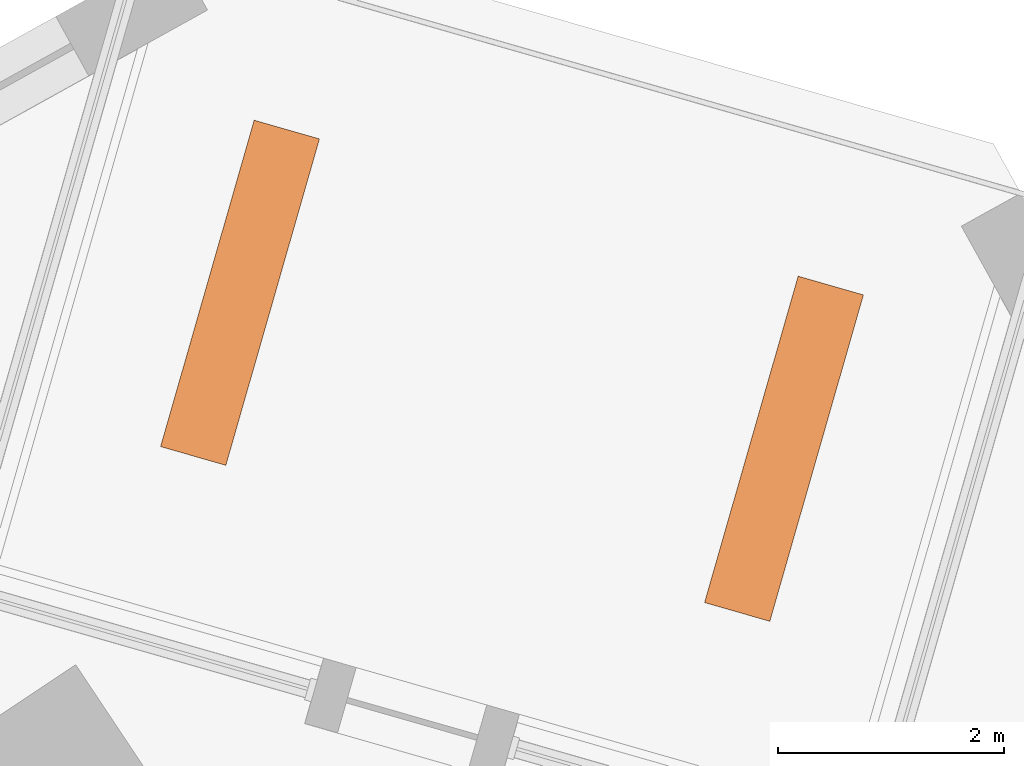
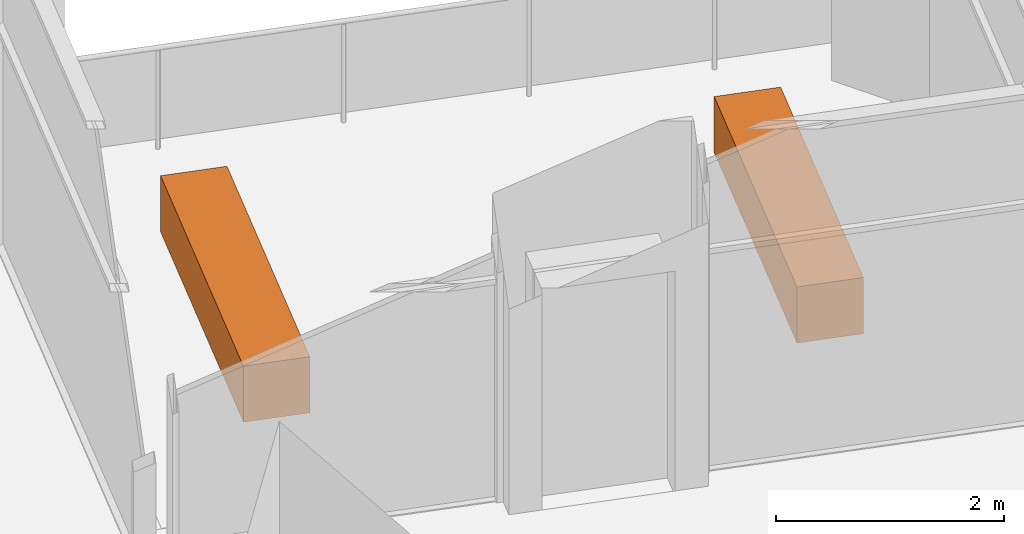
# One storey, part 11 of 11: 2 proxies.
"""IFC4 building model written with IfcOpenShell, lengths in metres."""

import ifcopenshell
import ifcopenshell.guid

model = None  # the IFC model being written
_history = None  # IfcOwnerHistory: only IFC2X3 demands one
_inside = {}  # id of a spatial element -> (the spatial element, [elements in it])
_under = {}  # id of a project, library or spatial element -> (it, [spatial elements below it])
_declared = {}  # id of a project -> (the project, [libraries it declares])
_typed = {}  # id of a type object -> (the type object, [elements of that type])
_made_of = {}  # id of a material, layer set ... -> (it, [elements and type objects made of it])


def new_model(schema):
    """Start an empty IFC model of exactly this schema.

    Asked for "IFC4X3", IfcOpenShell would pick the latest addendum, in which some entities
    have other attributes; the version numbers below select the first issue.
    IFC2X3 requires an IfcOwnerHistory on every rooted entity: one is made here for all.
    """
    global model, _history
    if schema == "IFC4X3":
        model = ifcopenshell.file(schema_version=(4, 3, 0, 0))
    else:
        model = ifcopenshell.file(schema=schema)
    _inside.clear()
    _under.clear()
    _declared.clear()
    _typed.clear()
    _made_of.clear()
    _history = None
    if model.schema == "IFC2X3":
        org = make("IfcOrganization", Name="unknown")
        user = make(
            "IfcPersonAndOrganization",
            ThePerson=make("IfcPerson", FamilyName="unknown"),
            TheOrganization=org,
        )
        app = make(
            "IfcApplication",
            ApplicationDeveloper=org,
            Version="unknown",
            ApplicationFullName="unknown",
            ApplicationIdentifier="unknown",
        )
        _history = make(
            "IfcOwnerHistory",
            OwningUser=user,
            OwningApplication=app,
            ChangeAction="ADDED",
            CreationDate=0,
        )
    return model


def make(cls, **values):
    """One entity of the class cls with the attributes given. An attribute that is None is left unset."""
    return model.create_entity(
        cls, **{name: value for name, value in values.items() if value is not None}
    )


def rooted(cls, **values):
    """An entity with a GlobalId (a new one), such as an element, a storey or a relation."""
    return make(cls, GlobalId=ifcopenshell.guid.new(), OwnerHistory=_history, **values)


def si_unit(unit_type, name, prefix=None):
    """IfcSIUnit, for example si_unit("LENGTHUNIT", "METRE", prefix="MILLI")."""
    return make("IfcSIUnit", UnitType=unit_type, Prefix=prefix, Name=name)


def assignment(units):
    """IfcUnitAssignment: the units of a project."""
    return None if units is None else make("IfcUnitAssignment", Units=units)


def point(xyz):
    """IfcCartesianPoint."""
    return None if xyz is None else make("IfcCartesianPoint", Coordinates=xyz)


def direction(xyz):
    """IfcDirection."""
    return None if xyz is None else make("IfcDirection", DirectionRatios=xyz)


def frame(location, z_axis=None, x_axis=None):
    """IfcAxis2Placement3D, a coordinate frame: its origin and axes. An axis left out is left unset."""
    return make(
        "IfcAxis2Placement3D",
        Location=point(location),
        Axis=direction(z_axis),
        RefDirection=direction(x_axis),
    )


def frame_2d(location, x_axis=None):
    """IfcAxis2Placement2D, a coordinate frame in the plane: its origin and x axis."""
    return make(
        "IfcAxis2Placement2D", Location=point(location), RefDirection=direction(x_axis)
    )


def origin():
    """The frame at (0, 0, 0) with its axes left unset."""
    return frame((0.0, 0.0, 0.0))


def origin_2d():
    """The frame at (0, 0) in the plane with its x axis left unset."""
    return frame_2d((0.0, 0.0))


def place(relative_to, where):
    """IfcLocalPlacement: puts the frame where relative to a parent placement (None: the world)."""
    return make(
        "IfcLocalPlacement", PlacementRelTo=relative_to, RelativePlacement=where
    )


def context(
    kind, dimensions, precision=None, world=None, true_north=None, identifier=None
):
    """IfcGeometricRepresentationContext, for example the 3D "Model" context."""
    return make(
        "IfcGeometricRepresentationContext",
        ContextIdentifier=identifier,
        ContextType=kind,
        CoordinateSpaceDimension=dimensions,
        Precision=precision,
        WorldCoordinateSystem=world,
        TrueNorth=true_north,
    )


def subcontext(parent, identifier, kind, view, scale=None):
    """IfcGeometricRepresentationSubContext, for example "Body" below "Model"."""
    return make(
        "IfcGeometricRepresentationSubContext",
        ContextIdentifier=identifier,
        ContextType=kind,
        ParentContext=parent,
        TargetScale=scale,
        TargetView=view,
    )


def project(units=None, contexts=None):
    """IfcProject with its units and contexts."""
    return rooted(
        "IfcProject",
        Name="project",
        RepresentationContexts=contexts,
        UnitsInContext=assignment(units),
    )


def spatial(cls, under=None, at=None, **own):
    """A site, building, storey or space (cls), placed at a placement, below another one or the project."""
    s = rooted(cls, ObjectPlacement=at, **own)
    if under is not None:
        _under.setdefault(under.id(), (under, []))[1].append(s)
    return s


def profile(cls, at=None, kind="AREA", **sizes):
    """A parametric profile (cls). Its sizes go by their IFC names, for example OverallWidth=200.0."""
    return make(cls, ProfileType=kind, Position=at, **sizes)


def rectangle(**sizes):
    """IfcRectangleProfileDef."""
    return profile("IfcRectangleProfileDef", **sizes)


def extrude(swept, where, along, depth):
    """IfcExtrudedAreaSolid: the profile swept, set in the frame where, extruded along a direction by depth."""
    return make(
        "IfcExtrudedAreaSolid",
        SweptArea=swept,
        Position=where,
        ExtrudedDirection=direction(along),
        Depth=depth,
    )


def shape(context_of_items, identifier, shape_type, items):
    """IfcShapeRepresentation: the items that make up one representation, for example the "Body"."""
    return make(
        "IfcShapeRepresentation",
        ContextOfItems=context_of_items,
        RepresentationIdentifier=identifier,
        RepresentationType=shape_type,
        Items=items,
    )


def made_of(thing, what):
    """Note that an element or type object is made of a material, layer set ...; save() writes the relation."""
    if what is not None:
        _made_of.setdefault(what.id(), (what, []))[1].append(thing)
    return thing


def element(
    cls,
    number,
    at=None,
    inside=None,
    cuts=None,
    type_object=None,
    material=None,
    context=None,
    identifier="Body",
    shape_type=None,
    held_by="IfcProductDefinitionShape",
    body=None,
    shapes=None,
    **own,
):
    """One element of the class cls, such as IfcWall. Its Tag is "e" and its number.

    at: its placement. inside: the storey or other place that contains it. cuts: it is an
    opening in that element (IfcRelVoidsElement). A single representation is given by context,
    identifier, shape_type and body (its items); several are given by shapes. held_by: the class
    of the entity that holds the representations. save() writes the other relations.
    """
    e = rooted(cls, Tag="e%d" % number, ObjectPlacement=at, **own)
    if body is not None:
        shapes = [shape(context, identifier, shape_type, body)]
    if shapes is not None:
        e.Representation = make(held_by, Representations=shapes)
    if inside is not None:
        _inside.setdefault(inside.id(), (inside, []))[1].append(e)
    if cuts is not None:
        rooted(
            "IfcRelVoidsElement", RelatingBuildingElement=cuts, RelatedOpeningElement=e
        )
    if type_object is not None:
        _typed.setdefault(type_object.id(), (type_object, []))[1].append(e)
    return made_of(e, material)


def aggregate(whole, parts):
    """IfcRelAggregates: a whole, such as a stair, and the parts it consists of."""
    return rooted("IfcRelAggregates", RelatingObject=whole, RelatedObjects=parts)


def save(model, path):
    """Write the relations noted so far, then the file.

    IfcRelAggregates (storeys below a building ...), IfcRelContainedInSpatialStructure (elements
    in a storey), IfcRelDefinesByType, IfcRelAssociatesMaterial and IfcRelDeclares: one each for
    every whole, place, type object, material and project.
    """
    for whole, parts in _under.values():
        aggregate(whole, parts)
    for where, things in _inside.values():
        rooted(
            "IfcRelContainedInSpatialStructure",
            RelatedElements=things,
            RelatingStructure=where,
        )
    for kind, things in _typed.values():
        rooted("IfcRelDefinesByType", RelatedObjects=things, RelatingType=kind)
    for what, things in _made_of.values():
        rooted("IfcRelAssociatesMaterial", RelatedObjects=things, RelatingMaterial=what)
    for by, libraries in _declared.values():
        rooted("IfcRelDeclares", RelatingContext=by, RelatedDefinitions=libraries)
    model.write(path)


model = new_model("IFC4")

# Units and contexts
model_context = context("Model", 3, precision=1e-05, world=origin(), true_north=direction((0.0, 1.0)))
body_context = subcontext(model_context, "Body", "Model", "MODEL_VIEW")
ifc_project = project(units=[si_unit("LENGTHUNIT", "METRE"), si_unit("AREAUNIT", "SQUARE_METRE"), si_unit("VOLUMEUNIT", "CUBIC_METRE"), si_unit("PLANEANGLEUNIT", "RADIAN"), si_unit("MASSUNIT", "GRAM", prefix="KILO")], contexts=[model_context])

# Site, building, storey
site_placement = place(None, origin())
site = spatial("IfcSite", under=ifc_project, at=site_placement, CompositionType="ELEMENT")
building_placement = place(site_placement, origin())
building = spatial("IfcBuilding", under=site, at=building_placement, Name="Dilmun Exchange Tower", CompositionType="ELEMENT")
storey_placement = place(building_placement, frame((0.0, 0.0, 135.699951171875)))
storey = spatial("IfcBuildingStorey", under=building, at=storey_placement, Name="L31", CompositionType="ELEMENT", Elevation=135.699951171875)

# Proxies
for number, where, z_axis, x_axis, name in (
    (1, (14.013916015625, 30.566650390625, 0.0), (0.0, 0.0, 1.0), (0.275637355817, 0.961261695938, 0.0), "PLANTER Ghaf tree L31.1"),
    (2, (9.20751953125, 31.94482421875, 0.0), (0.0, 0.0, 1.0), (0.275637355817, 0.961261695938, 0.0), "PLANTER Ghaf tree L31.2"),
):
    element("IfcBuildingElementProxy", number, at=place(storey_placement, frame(where, z_axis=z_axis, x_axis=x_axis)), inside=storey, Name=name, ObjectType="PLANTER", PredefinedType="USERDEFINED", context=body_context, shape_type="SweptSolid", body=[
        extrude(rectangle(XDim=3.0, YDim=0.60009765625, at=origin_2d()), origin(), (0.0, 0.0, 1.0), 0.60009765625),
    ])

save(model, "model.ifc")
